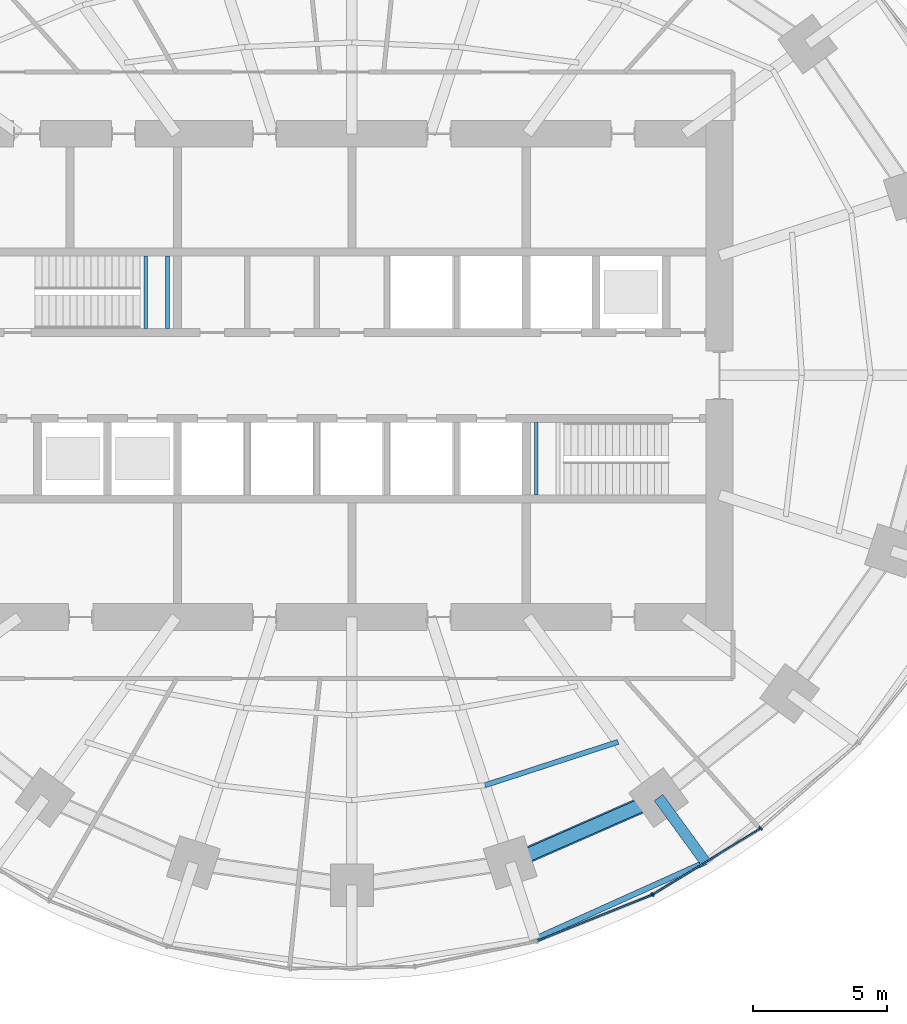
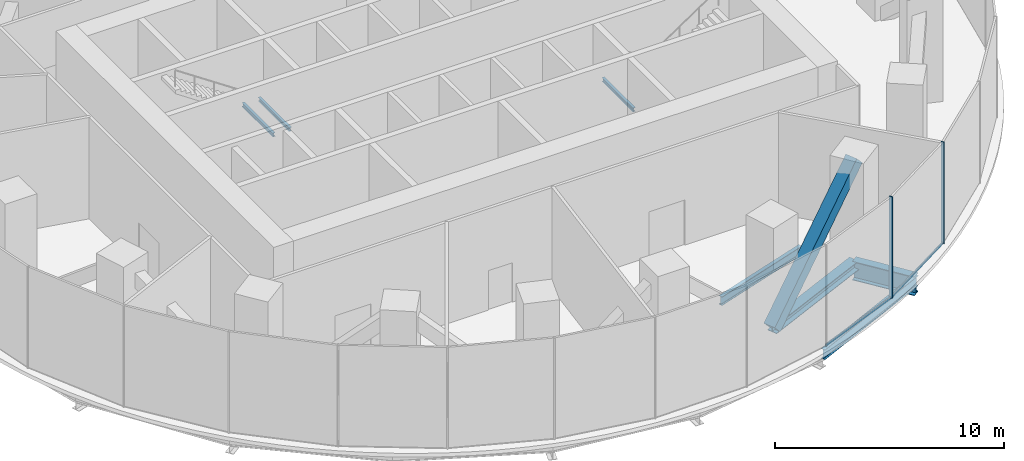
# One storey, part 5 of 14: 6 beams, 6 members, 2 elements without a shape of their own.
"""IFC4 building model written with IfcOpenShell, lengths in metres."""

from ifc_helpers import new_model, si_unit, direction, frame, origin, origin_2d, place, context, subcontext, project, spatial, rectangle, hollow_rectangle, i_section, extrude, material, material_profile, profile_set, type_object, element, aggregate, save


model = new_model("IFC4")

# Units and contexts
model_context = context("Model", 3, precision=1e-05, world=origin(), true_north=direction((0.0, 1.0)))
body_context = subcontext(model_context, "Body", "Model", "MODEL_VIEW")
ifc_project = project(units=[si_unit("LENGTHUNIT", "METRE"), si_unit("AREAUNIT", "SQUARE_METRE"), si_unit("VOLUMEUNIT", "CUBIC_METRE"), si_unit("PLANEANGLEUNIT", "RADIAN"), si_unit("MASSUNIT", "GRAM", prefix="KILO")], contexts=[model_context])

# Site, building, storey
site_placement = place(None, origin())
site = spatial("IfcSite", under=ifc_project, at=site_placement, CompositionType="ELEMENT")
building_placement = place(site_placement, origin())
building = spatial("IfcBuilding", under=site, at=building_placement, Name="Marramba Exchange Tower", CompositionType="ELEMENT")
storey_placement = place(building_placement, frame((0.0, 0.0, 166.5)))
storey = spatial("IfcBuildingStorey", under=building, at=storey_placement, Name="L40", CompositionType="ELEMENT", Elevation=166.5)

# Members
ifc_material_1 = material(Name="Steel AS/NZS 3679.2 grade 300", Category="steel")
ifc_material_profile_1 = material_profile(ifc_material_1, i_section(OverallWidth=0.5, OverallDepth=0.48388671875, WebThickness=0.02490234375, FlangeThickness=0.031982421875, at=origin_2d()), Name="500WC340")
ifc_profile_set_1 = profile_set([ifc_material_profile_1], Name="Steel AS/NZS 3679.2 grade 300")
member_type_1 = type_object("IfcMemberType", Name="Belt truss chord 500WC340", PredefinedType="CHORD", material=ifc_profile_set_1)
member_1_placement = place(storey_placement, frame((5.899658203125, -18.156982421875, -0.44189453125), z_axis=(0.915876892158, 0.4014592363, 0.0), x_axis=(-0.4014592363, 0.915876892158, 0.0)))
element("IfcMember", 1, at=member_1_placement, inside=storey, type_object=member_type_1, Name="Belt chord L40 TC17-TC18", PredefinedType="CHORD", context=body_context, shape_type="SweptSolid", body=[
    extrude(i_section(OverallWidth=0.5, OverallDepth=0.48388671875, WebThickness=0.02490234375, FlangeThickness=0.031982421875, at=origin_2d()), origin(), (0.0, 0.0, 1.0), 6.038818359375),
])
ifc_material_2 = material(Name="Steel AS/NZS 3678 grade 350", Category="steel")
ifc_material_profile_2 = material_profile(ifc_material_2, hollow_rectangle(XDim=0.60009765625, YDim=0.60009765625, WallThickness=0.0400390625, at=origin_2d()), Name="600x600x40BOX")
ifc_profile_set_2 = profile_set([ifc_material_profile_2], Name="Steel AS/NZS 3678 grade 350")
member_type_2 = type_object("IfcMemberType", Name="Belt truss diagonal 600x600x40BOX", PredefinedType="BRACE", material=ifc_profile_set_2)
member_2_placement = place(storey_placement, frame((5.899658203125, -18.156982421875, -0.44189453125), z_axis=(0.67156810861, 0.294370588792, 0.679957522168), x_axis=(-0.4014592363, 0.915876892158, 0.0)))
element("IfcMember", 2, at=member_2_placement, inside=storey, type_object=member_type_2, Name="Belt truss BT40 diagonal 17", PredefinedType="BRACE", context=body_context, shape_type="SweptSolid", body=[
    extrude(hollow_rectangle(XDim=0.60009765625, YDim=0.60009765625, WallThickness=0.0400390625, at=origin_2d()), origin(), (0.0, 0.0, 1.0), 8.235595703125),
])

# Beams
ifc_material_profile_3 = material_profile(ifc_material_1, i_section(OverallWidth=0.39990234375, OverallDepth=1.0, WebThickness=0.01611328125, FlangeThickness=0.031982421875, at=origin_2d()), Name="1000WB322")
ifc_profile_set_3 = profile_set([ifc_material_profile_3], Name="Steel AS/NZS 3679.2 grade 300")
beam_type_1 = type_object("IfcBeamType", Name="Cantilever girder 1000WB322", PredefinedType="BEAM", material=ifc_profile_set_3)
beam_1_placement = place(storey_placement, frame((11.430419921875, -15.732666015625, -0.699951171875), z_axis=(0.587794986183, -0.8090099222, 0.0), x_axis=(0.8090099222, 0.587794986183, 0.0)))
element("IfcBeam", 3, at=beam_1_placement, inside=storey, type_object=beam_type_1, Name="Cantilever girder L40 TC18", PredefinedType="BEAM", context=body_context, shape_type="SweptSolid", body=[
    extrude(i_section(OverallWidth=0.39990234375, OverallDepth=1.0, WebThickness=0.01611328125, FlangeThickness=0.031982421875, at=origin_2d()), origin(), (0.0, 0.0, 1.0), 2.9677734375),
])
ifc_material_3 = material(Name="Steel AS/NZS 3679.1 grade 300", Category="steel")
ifc_material_profile_4 = material_profile(ifc_material_3, i_section(OverallWidth=0.19091796875, OverallDepth=0.4599609375, WebThickness=0.010009765625, FlangeThickness=0.01611328125, FilletRadius=0.011474609375, at=origin_2d()), Name="460UB82.1")
ifc_profile_set_4 = profile_set([ifc_material_profile_4], Name="Steel AS/NZS 3679.1 grade 300")
beam_type_2 = type_object("IfcBeamType", Name="Floor joist 460UB82.1", PredefinedType="JOIST", material=ifc_profile_set_4)
beam_2_placement = place(storey_placement, frame((4.9619140625, -15.271484375, -0.429931640625), z_axis=(0.950764024931, 0.309915744834, 0.0), x_axis=(-0.309915744834, 0.950764024931, 0.0)))
element("IfcBeam", 4, at=beam_2_placement, inside=storey, type_object=beam_type_2, Name="Joist L40 bay 17 row 2", PredefinedType="JOIST", context=body_context, shape_type="SweptSolid", body=[
    extrude(i_section(OverallWidth=0.19091796875, OverallDepth=0.4599609375, WebThickness=0.010009765625, FlangeThickness=0.01611328125, FilletRadius=0.011474609375, at=origin_2d()), origin(), (0.0, 0.0, 1.0), 5.2158203125),
])

# Curtain wall, members
ifc_material_4 = material(Name="Aluminium framing, bronze anodised", Category="aluminium")
curtain_wall_type = type_object("IfcCurtainWallType", Name="Plant floor louvred curtain wall", PredefinedType="USERDEFINED", material=ifc_material_4)
curtain_wall_1_placement = place(storey_placement, origin())
curtain_wall_1 = element("IfcCurtainWall", 5, at=curtain_wall_1_placement, inside=storey, type_object=curtain_wall_type, Name="Curtain wall CW6 L40 F26-F30", ObjectType="RIBBON CURTAIN WALL", PredefinedType="USERDEFINED")
ifc_material_5 = material(Name="Aluminium mullion, bronze anodised", Category="aluminium")
ifc_material_profile_5 = material_profile(ifc_material_5, rectangle(XDim=0.159912109375, YDim=0.06005859375, at=origin_2d()), Name="CW6 mullion 60x160")
ifc_profile_set_5 = profile_set([ifc_material_profile_5], Name="Aluminium mullion, bronze anodised")
member_type_3 = type_object("IfcMemberType", Name="Plant floor louvred curtain wall mullion", PredefinedType="MULLION", material=ifc_profile_set_5)
member_3_placement = place(storey_placement, frame((11.2021484375, -19.3427734375, 0.0), z_axis=(0.0, 0.0, 1.0), x_axis=(-0.521732535664, 0.853109114492, 0.0)))
member_3 = element("IfcMember", 6, at=member_3_placement, type_object=member_type_3, Name="CW6 mullion 1", PredefinedType="MULLION", context=body_context, shape_type="SweptSolid", body=[
    extrude(rectangle(XDim=0.159912109375, YDim=0.06005859375, at=origin_2d()), origin(), (0.0, 0.0, 1.0), 5.39990234375),
])
member_4_placement = place(storey_placement, frame((15.232177734375, -16.872314453125, 0.0), z_axis=(0.0, 0.0, 1.0), x_axis=(-0.656431647438, 0.754385506384, 0.0)))
member_4 = element("IfcMember", 7, at=member_4_placement, type_object=member_type_3, Name="CW6 mullion 1", PredefinedType="MULLION", context=body_context, shape_type="SweptSolid", body=[
    extrude(rectangle(XDim=0.159912109375, YDim=0.06005859375, at=origin_2d()), origin(), (0.0, 0.0, 1.0), 5.39990234375),
])

# Curtain wall, member
curtain_wall_2_placement = place(storey_placement, origin())
curtain_wall_2 = element("IfcCurtainWall", 8, at=curtain_wall_2_placement, inside=storey, type_object=curtain_wall_type, Name="Curtain wall CW6 L40 F21-F25", ObjectType="RIBBON CURTAIN WALL", PredefinedType="USERDEFINED")
ifc_material_6 = material(Name="Aluminium transom, bronze anodised", Category="aluminium")
ifc_material_profile_6 = material_profile(ifc_material_6, rectangle(XDim=0.06005859375, YDim=0.1201171875, at=origin_2d()), Name="CW6 transom 60x120")
ifc_profile_set_6 = profile_set([ifc_material_profile_6], Name="Aluminium transom, bronze anodised")
member_type_4 = type_object("IfcMemberType", Name="Plant floor louvred curtain wall transom", PredefinedType="USERDEFINED", material=ifc_profile_set_6)
member_5_placement = place(storey_placement, frame((6.908935546875, -21.06982421875, 0.030029296875), z_axis=(0.928146753748, 0.372214459026, 0.0), x_axis=(-0.372214459026, 0.928146753748, 0.0)))
member_5 = element("IfcMember", 9, at=member_5_placement, type_object=member_type_4, Name="CW6 sill transom", ObjectType="TRANSOM", PredefinedType="USERDEFINED", context=body_context, shape_type="SweptSolid", body=[
    extrude(rectangle(XDim=0.06005859375, YDim=0.1201171875, at=origin_2d()), origin(), (0.0, 0.0, 1.0), 4.597900390625),
])
aggregate(curtain_wall_2, [member_5])

# Member
member_6_placement = place(storey_placement, frame((11.227783203125, -19.3271484375, 0.030029296875), z_axis=(0.853124051379, 0.52170811088, 0.0), x_axis=(-0.52170811088, 0.853124051379, 0.0)))
member_6 = element("IfcMember", 10, at=member_6_placement, type_object=member_type_4, Name="CW6 sill transom", ObjectType="TRANSOM", PredefinedType="USERDEFINED", context=body_context, shape_type="SweptSolid", body=[
    extrude(rectangle(XDim=0.06005859375, YDim=0.1201171875, at=origin_2d()), origin(), (0.0, 0.0, 1.0), 4.66748046875),
])

aggregate(curtain_wall_1, [member_3, member_6, member_4])

# Beams
ifc_material_profile_7 = material_profile(ifc_material_3, i_section(OverallWidth=0.208984375, OverallDepth=0.528076171875, WebThickness=0.009521484375, FlangeThickness=0.01318359375, FilletRadius=0.013916015625, at=origin_2d()), Name="530UB82.0")
ifc_profile_set_7 = profile_set([ifc_material_profile_7], Name="Steel AS/NZS 3679.1 grade 300")
beam_type_3 = type_object("IfcBeamType", Name="Slab edge beam 530UB82.0", PredefinedType="SPANDREL", material=ifc_profile_set_7)
beam_3_placement = place(storey_placement, frame((6.822509765625, -20.9970703125, -0.464111328125), z_axis=(0.911653171624, 0.410960453898, 0.0), x_axis=(-0.410960453898, 0.911653171624, 0.0)))
element("IfcBeam", 11, at=beam_3_placement, inside=storey, type_object=beam_type_3, Name="Slab edge beam L40 TC17-TC18", PredefinedType="SPANDREL", context=body_context, shape_type="SweptSolid", body=[
    extrude(i_section(OverallWidth=0.208984375, OverallDepth=0.528076171875, WebThickness=0.009521484375, FlangeThickness=0.01318359375, FilletRadius=0.013916015625, at=origin_2d()), origin(), (0.0, 0.0, 1.0), 6.9677734375),
])
ifc_material_profile_8 = material_profile(ifc_material_3, i_section(OverallWidth=0.133056640625, OverallDepth=0.202880859375, WebThickness=0.005859375, FlangeThickness=0.0078125, FilletRadius=0.0087890625, at=origin_2d()), Name="200UB25.4")
ifc_profile_set_8 = profile_set([ifc_material_profile_8], Name="Steel AS/NZS 3679.1 grade 300")
beam_type_4 = type_object("IfcBeamType", Name="Stair landing beam 200UB25.4", PredefinedType="BEAM", material=ifc_profile_set_8)
for number, where, z_axis, x_axis, name in (
    (12, (-7.68359375, 1.75, 2.49853515625), (0.0, 1.0, 0.0), (-1.0, 0.0, 0.0), "Stair landing beam SLB1 ST1 L40 1"),
    (13, (-6.866455078125, 1.75, 2.49853515625), (0.0, 1.0, 0.0), (-1.0, 0.0, 0.0), "Stair landing beam SLB1 ST1 L40 2"),
    (14, (6.866455078125, -4.449951171875, 2.49853515625), (0.0, 1.0, 0.0), (-1.0, 0.0, 0.0), "Stair landing beam SLB1 ST2 L40 1"),
):
    element("IfcBeam", number, at=place(storey_placement, frame(where, z_axis=z_axis, x_axis=x_axis)), inside=storey, type_object=beam_type_4, Name=name, PredefinedType="BEAM", context=body_context, shape_type="SweptSolid", body=[
        extrude(i_section(OverallWidth=0.133056640625, OverallDepth=0.202880859375, WebThickness=0.005859375, FlangeThickness=0.0078125, FilletRadius=0.0087890625, at=origin_2d()), origin(), (0.0, 0.0, 1.0), 2.699951171875),
    ])

save(model, "model.ifc")
